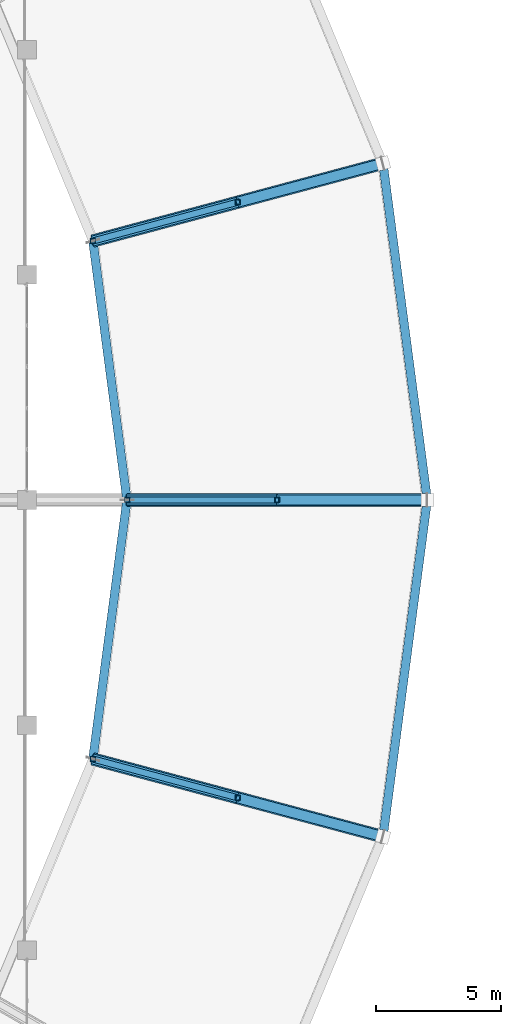
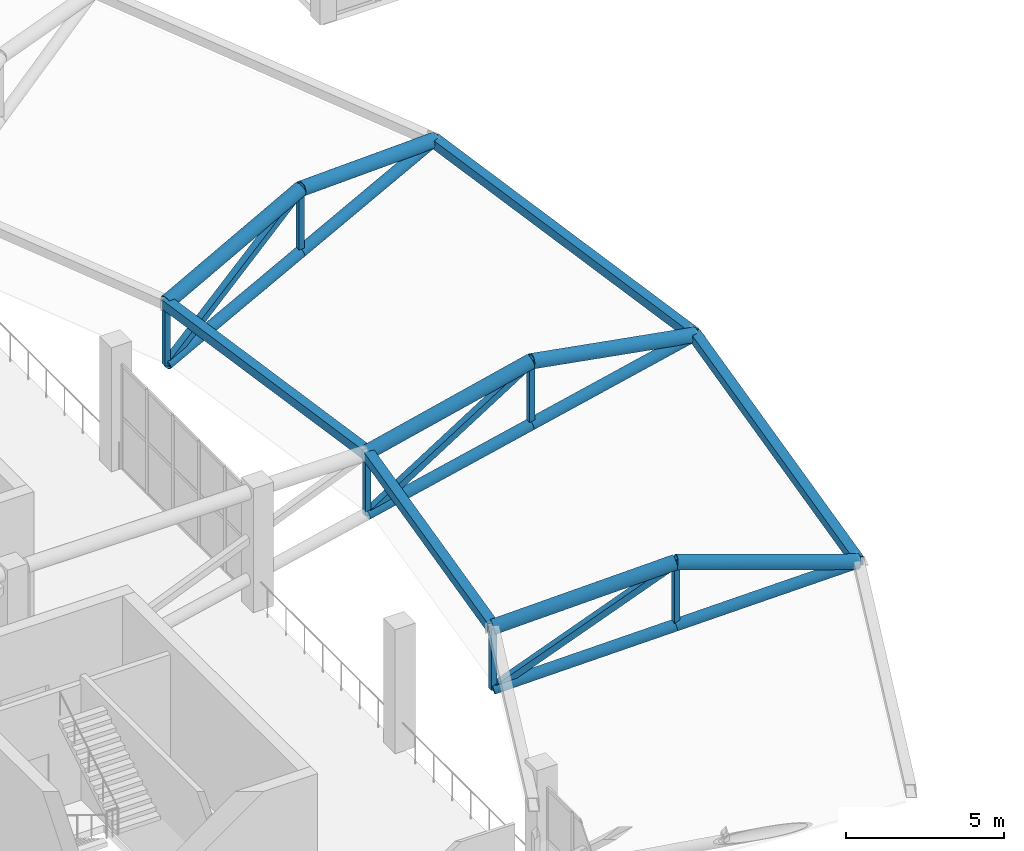
# One storey, part 94 of 167: 25 members.
"""IFC4 building model written with IfcOpenShell, lengths in metres."""

from ifc_helpers import new_model, si_unit, direction, frame, origin, origin_2d, place, context, subcontext, project, spatial, hollow_rectangle, hollow_circle, extrude, material, material_profile, profile_set, type_object, element, save


model = new_model("IFC4")

# Units and contexts
model_context = context("Model", 3, precision=1e-05, world=origin(), true_north=direction((0.0, 1.0)))
body_context = subcontext(model_context, "Body", "Model", "MODEL_VIEW")
ifc_project = project(units=[si_unit("LENGTHUNIT", "METRE"), si_unit("AREAUNIT", "SQUARE_METRE"), si_unit("VOLUMEUNIT", "CUBIC_METRE"), si_unit("PLANEANGLEUNIT", "RADIAN"), si_unit("MASSUNIT", "GRAM", prefix="KILO")], contexts=[model_context])

# Site, building, storey
site_placement = place(None, origin())
site = spatial("IfcSite", under=ifc_project, at=site_placement, CompositionType="ELEMENT")
building_placement = place(site_placement, origin())
building = spatial("IfcBuilding", under=site, at=building_placement, Name="Dornveld Trade and Exhibition Forum", CompositionType="ELEMENT")
storey_placement = place(building_placement, frame((0.0, 0.0, 16.800048828125)))
storey = spatial("IfcBuildingStorey", under=building, at=storey_placement, Name="L03", CompositionType="ELEMENT", Elevation=16.800048828125)

# Members
ifc_material_1 = material(Name="Steel S355J2", Category="steel")
ifc_material_profile_1 = material_profile(ifc_material_1, hollow_circle(Radius=0.203125, WallThickness=0.02001953125, at=origin_2d()), Name="CHS 406.4x20")
ifc_profile_set_1 = profile_set([ifc_material_profile_1], Name="Steel S355J2")
member_type_1 = type_object("IfcMemberType", Name="MEM-DISC-BC", PredefinedType="CHORD", material=ifc_profile_set_1)
member_1_placement = place(storey_placement, frame((157.0, 81.0, 2.07568359375), z_axis=(0.975188175401, 0.0, 0.221377556582), x_axis=(0.0, 1.0, 0.0)))
element("IfcMember", 1, at=member_1_placement, inside=storey, type_object=member_type_1, Name="Roof disc radial R01 conical bottom chord 3", PredefinedType="CHORD", context=body_context, shape_type="SweptSolid", body=[
    extrude(hollow_circle(Radius=0.203125, WallThickness=0.02001953125, at=origin_2d()), origin(), (0.0, 0.0, 1.0), 6.152587890625),
])
for number, where, z_axis, x_axis, name in (
    (2, (163.0, 81.0, 3.437744140625), (0.975179608328, 0.0, 0.22141529193), (0.0, 1.0, 0.0), "Roof disc radial R01 conical bottom chord 4"),
    (3, (155.636962890625, 91.352783203125, 2.07568359375), (0.941958781399, 0.252403210265, 0.221373606362), (-0.258824896092, 0.965924258502, 0.0), "Roof disc radial R02 conical bottom chord 3"),
):
    element("IfcMember", number, at=place(storey_placement, frame(where, z_axis=z_axis, x_axis=x_axis)), inside=storey, type_object=member_type_1, Name=name, PredefinedType="CHORD", context=body_context, shape_type="SweptSolid", body=[
        extrude(hollow_circle(Radius=0.203125, WallThickness=0.02001953125, at=origin_2d()), origin(), (0.0, 0.0, 1.0), 6.15283203125),
    ])
member_2_placement = place(storey_placement, frame((161.4326171875, 92.90576171875, 3.437744140625), z_axis=(0.941955467078, 0.25237327368, 0.221421834455), x_axis=(-0.2587971036, 0.96593170523, 0.0)))
element("IfcMember", 4, at=member_2_placement, inside=storey, type_object=member_type_1, Name="Roof disc radial R02 conical bottom chord 4", PredefinedType="CHORD", context=body_context, shape_type="SweptSolid", body=[
    extrude(hollow_circle(Radius=0.203125, WallThickness=0.02001953125, at=origin_2d()), origin(), (0.0, 0.0, 1.0), 6.152587890625),
])
member_3_placement = place(storey_placement, frame((155.636962890625, 70.647216796875, 2.07568359375), z_axis=(0.941958781399, -0.252403210265, 0.221373606362), x_axis=(0.258824896092, 0.965924258502, 0.0)))
element("IfcMember", 5, at=member_3_placement, inside=storey, type_object=member_type_1, Name="Roof disc radial R24 conical bottom chord 3", PredefinedType="CHORD", context=body_context, shape_type="SweptSolid", body=[
    extrude(hollow_circle(Radius=0.203125, WallThickness=0.02001953125, at=origin_2d()), origin(), (0.0, 0.0, 1.0), 6.15283203125),
])
member_4_placement = place(storey_placement, frame((161.4326171875, 69.09423828125, 3.437744140625), z_axis=(0.941955467078, -0.25237327368, 0.221421834455), x_axis=(0.2587971036, 0.96593170523, 0.0)))
element("IfcMember", 6, at=member_4_placement, inside=storey, type_object=member_type_1, Name="Roof disc radial R24 conical bottom chord 4", PredefinedType="CHORD", context=body_context, shape_type="SweptSolid", body=[
    extrude(hollow_circle(Radius=0.203125, WallThickness=0.02001953125, at=origin_2d()), origin(), (0.0, 0.0, 1.0), 6.152587890625),
])
ifc_material_2 = material(Name="Steel S355J2", Category="steel")
ifc_material_profile_2 = material_profile(ifc_material_2, hollow_rectangle(XDim=0.35009765625, YDim=0.35009765625, WallThickness=0.01611328125, at=origin_2d()), Name="SHS 350x350x16")
ifc_profile_set_2 = profile_set([ifc_material_profile_2], Name="Steel S355J2")
member_type_2 = type_object("IfcMemberType", Name="MEM-DISC-RING", PredefinedType="CHORD", material=ifc_profile_set_2)
member_5_placement = place(storey_placement, frame((157.0, 81.0, 4.449951171875), z_axis=(-0.130532531574, 0.991444026761, 0.0), x_axis=(-0.991444026761, -0.130532531574, 0.0)))
element("IfcMember", 7, at=member_5_placement, inside=storey, type_object=member_type_2, Name="Roof disc ring 3 chord 1", PredefinedType="CHORD", context=body_context, shape_type="SweptSolid", body=[
    extrude(hollow_rectangle(XDim=0.35009765625, YDim=0.35009765625, WallThickness=0.01611328125, at=origin_2d()), origin(), (0.0, 0.0, 1.0), 10.442138671875),
])
member_6_placement = place(storey_placement, frame((169.0, 81.0, 4.800048828125), z_axis=(-0.130535463208, 0.991443640781, 0.0), x_axis=(-0.991443640781, -0.130535463208, 0.0)))
element("IfcMember", 8, at=member_6_placement, inside=storey, type_object=member_type_2, Name="Roof disc ring 4 chord 1", PredefinedType="CHORD", context=body_context, shape_type="SweptSolid", body=[
    extrude(hollow_rectangle(XDim=0.35009765625, YDim=0.35009765625, WallThickness=0.01611328125, at=origin_2d()), origin(), (0.0, 0.0, 1.0), 13.57470703125),
])
member_7_placement = place(storey_placement, frame((155.636962890625, 70.647216796875, 4.449951171875), z_axis=(0.130532531574, 0.991444026761, 0.0), x_axis=(-0.991444026761, 0.130532531574, 0.0)))
element("IfcMember", 9, at=member_7_placement, inside=storey, type_object=member_type_2, Name="Roof disc ring 3 chord 24", PredefinedType="CHORD", context=body_context, shape_type="SweptSolid", body=[
    extrude(hollow_rectangle(XDim=0.35009765625, YDim=0.35009765625, WallThickness=0.01611328125, at=origin_2d()), origin(), (0.0, 0.0, 1.0), 10.442138671875),
])
member_8_placement = place(storey_placement, frame((167.22802734375, 67.54150390625, 4.800048828125), z_axis=(0.130535463208, 0.991443640781, 0.0), x_axis=(-0.991443640781, 0.130535463208, 0.0)))
element("IfcMember", 10, at=member_8_placement, inside=storey, type_object=member_type_2, Name="Roof disc ring 4 chord 24", PredefinedType="CHORD", context=body_context, shape_type="SweptSolid", body=[
    extrude(hollow_rectangle(XDim=0.35009765625, YDim=0.35009765625, WallThickness=0.01611328125, at=origin_2d()), origin(), (0.0, 0.0, 1.0), 13.57470703125),
])
ifc_material_3 = material(Name="Steel S355J2", Category="steel")
ifc_material_profile_3 = material_profile(ifc_material_3, hollow_rectangle(XDim=0.199951171875, YDim=0.199951171875, WallThickness=0.010009765625, at=origin_2d()), Name="SHS 200x200x10")
ifc_profile_set_3 = profile_set([ifc_material_profile_3], Name="Steel S355J2")
member_type_3 = type_object("IfcMemberType", Name="MEM-DISC-STR", PredefinedType="STRUT", material=ifc_profile_set_3)
member_9_placement = place(storey_placement, frame((157.0, 81.0, 2.07568359375), z_axis=(0.0, 0.0, 1.0), x_axis=(1.0, 0.0, 0.0)))
element("IfcMember", 11, at=member_9_placement, inside=storey, type_object=member_type_3, Name="Roof disc radial R01 strut 3", PredefinedType="STRUT", context=body_context, shape_type="SweptSolid", body=[
    extrude(hollow_rectangle(XDim=0.199951171875, YDim=0.199951171875, WallThickness=0.010009765625, at=origin_2d()), origin(), (0.0, 0.0, 1.0), 2.374267578125),
])
member_10_placement = place(storey_placement, frame((163.0, 81.0, 3.437744140625), z_axis=(0.0, 0.0, 1.0), x_axis=(1.0, 0.0, 0.0)))
element("IfcMember", 12, at=member_10_placement, inside=storey, type_object=member_type_3, Name="Roof disc radial R01 strut 4", PredefinedType="STRUT", context=body_context, shape_type="SweptSolid", body=[
    extrude(hollow_rectangle(XDim=0.199951171875, YDim=0.199951171875, WallThickness=0.010009765625, at=origin_2d()), origin(), (0.0, 0.0, 1.0), 2.437255859375),
])
member_11_placement = place(storey_placement, frame((155.636962890625, 91.352783203125, 2.07568359375), z_axis=(0.0, 0.0, 1.0), x_axis=(1.0, 0.0, 0.0)))
element("IfcMember", 13, at=member_11_placement, inside=storey, type_object=member_type_3, Name="Roof disc radial R02 strut 3", PredefinedType="STRUT", context=body_context, shape_type="SweptSolid", body=[
    extrude(hollow_rectangle(XDim=0.199951171875, YDim=0.199951171875, WallThickness=0.010009765625, at=origin_2d()), origin(), (0.0, 0.0, 1.0), 2.374267578125),
])
member_12_placement = place(storey_placement, frame((161.4326171875, 92.90576171875, 3.437744140625), z_axis=(0.0, 0.0, 1.0), x_axis=(1.0, 0.0, 0.0)))
element("IfcMember", 14, at=member_12_placement, inside=storey, type_object=member_type_3, Name="Roof disc radial R02 strut 4", PredefinedType="STRUT", context=body_context, shape_type="SweptSolid", body=[
    extrude(hollow_rectangle(XDim=0.199951171875, YDim=0.199951171875, WallThickness=0.010009765625, at=origin_2d()), origin(), (0.0, 0.0, 1.0), 2.437255859375),
])
member_13_placement = place(storey_placement, frame((155.636962890625, 70.647216796875, 2.07568359375), z_axis=(0.0, 0.0, 1.0), x_axis=(1.0, 0.0, 0.0)))
element("IfcMember", 15, at=member_13_placement, inside=storey, type_object=member_type_3, Name="Roof disc radial R24 strut 3", PredefinedType="STRUT", context=body_context, shape_type="SweptSolid", body=[
    extrude(hollow_rectangle(XDim=0.199951171875, YDim=0.199951171875, WallThickness=0.010009765625, at=origin_2d()), origin(), (0.0, 0.0, 1.0), 2.374267578125),
])
member_14_placement = place(storey_placement, frame((161.4326171875, 69.09423828125, 3.437744140625), z_axis=(0.0, 0.0, 1.0), x_axis=(1.0, 0.0, 0.0)))
element("IfcMember", 16, at=member_14_placement, inside=storey, type_object=member_type_3, Name="Roof disc radial R24 strut 4", PredefinedType="STRUT", context=body_context, shape_type="SweptSolid", body=[
    extrude(hollow_rectangle(XDim=0.199951171875, YDim=0.199951171875, WallThickness=0.010009765625, at=origin_2d()), origin(), (0.0, 0.0, 1.0), 2.437255859375),
])
ifc_material_4 = material(Name="Steel S355J2", Category="steel")
ifc_material_profile_4 = material_profile(ifc_material_4, hollow_circle(Radius=0.25390625, WallThickness=0.02490234375, at=origin_2d()), Name="CHS 508x25")
ifc_profile_set_4 = profile_set([ifc_material_profile_4], Name="Steel S355J2")
member_type_4 = type_object("IfcMemberType", Name="MEM-DISC-TC", PredefinedType="CHORD", material=ifc_profile_set_4)
member_15_placement = place(storey_placement, frame((157.0, 81.0, 4.449951171875), z_axis=(0.972934770629, 0.0, 0.231079925788), x_axis=(0.0, 1.0, 0.0)))
element("IfcMember", 17, at=member_15_placement, inside=storey, type_object=member_type_4, Name="Roof disc radial R01 top chord 3", PredefinedType="CHORD", context=body_context, shape_type="SweptSolid", body=[
    extrude(hollow_circle(Radius=0.25390625, WallThickness=0.02490234375, at=origin_2d()), origin(), (0.0, 0.0, 1.0), 6.1669921875),
])
member_16_placement = place(storey_placement, frame((163.0, 81.0, 5.875), z_axis=(0.984327409014, 0.0, -0.176350650305), x_axis=(0.0, 1.0, 0.0)))
element("IfcMember", 18, at=member_16_placement, inside=storey, type_object=member_type_4, Name="Roof disc radial R01 top chord 4", PredefinedType="CHORD", context=body_context, shape_type="SweptSolid", body=[
    extrude(hollow_circle(Radius=0.25390625, WallThickness=0.02490234375, at=origin_2d()), origin(), (0.0, 0.0, 1.0), 6.095458984375),
])
member_17_placement = place(storey_placement, frame((155.636962890625, 91.352783203125, 4.449951171875), z_axis=(0.939782238472, 0.251819993215, 0.231075821474), x_axis=(-0.258824896092, 0.965924258502, 0.0)))
element("IfcMember", 19, at=member_17_placement, inside=storey, type_object=member_type_4, Name="Roof disc radial R02 top chord 3", PredefinedType="CHORD", context=body_context, shape_type="SweptSolid", body=[
    extrude(hollow_circle(Radius=0.25390625, WallThickness=0.02490234375, at=origin_2d()), origin(), (0.0, 0.0, 1.0), 6.1669921875),
])
member_18_placement = place(storey_placement, frame((161.4326171875, 92.90576171875, 5.875), z_axis=(0.950792133905, 0.254740836281, -0.176355959457), x_axis=(-0.2587971036, 0.96593170523, 0.0)))
element("IfcMember", 20, at=member_18_placement, inside=storey, type_object=member_type_4, Name="Roof disc radial R02 top chord 4", PredefinedType="CHORD", context=body_context, shape_type="SweptSolid", body=[
    extrude(hollow_circle(Radius=0.25390625, WallThickness=0.02490234375, at=origin_2d()), origin(), (0.0, 0.0, 1.0), 6.095458984375),
])
member_19_placement = place(storey_placement, frame((155.636962890625, 70.647216796875, 4.449951171875), z_axis=(0.939782238472, -0.251819993215, 0.231075821474), x_axis=(0.258824896092, 0.965924258502, 0.0)))
element("IfcMember", 21, at=member_19_placement, inside=storey, type_object=member_type_4, Name="Roof disc radial R24 top chord 3", PredefinedType="CHORD", context=body_context, shape_type="SweptSolid", body=[
    extrude(hollow_circle(Radius=0.25390625, WallThickness=0.02490234375, at=origin_2d()), origin(), (0.0, 0.0, 1.0), 6.1669921875),
])
member_20_placement = place(storey_placement, frame((161.4326171875, 69.09423828125, 5.875), z_axis=(0.950792133905, -0.254740836281, -0.176355959457), x_axis=(0.2587971036, 0.96593170523, 0.0)))
element("IfcMember", 22, at=member_20_placement, inside=storey, type_object=member_type_4, Name="Roof disc radial R24 top chord 4", PredefinedType="CHORD", context=body_context, shape_type="SweptSolid", body=[
    extrude(hollow_circle(Radius=0.25390625, WallThickness=0.02490234375, at=origin_2d()), origin(), (0.0, 0.0, 1.0), 6.095458984375),
])
ifc_material_5 = material(Name="Steel S355J2", Category="steel")
ifc_material_profile_5 = material_profile(ifc_material_5, hollow_rectangle(XDim=0.25, YDim=0.25, WallThickness=0.012451171875, at=origin_2d()), Name="SHS 250x250x12.5")
ifc_profile_set_5 = profile_set([ifc_material_profile_5], Name="Steel S355J2")
member_type_5 = type_object("IfcMemberType", Name="MEM-DISC-WEB", PredefinedType="BRACE", material=ifc_profile_set_5)
for number, where, z_axis, x_axis, name in (
    (23, (157.0, 81.0, 2.07568359375), (0.844862583121, 0.0, 0.534983378846), (0.0, 1.0, 0.0), "Roof disc radial R01 web 3"),
    (24, (155.636962890625, 91.352783203125, 2.07568359375), (0.816077646612, 0.218672644597, 0.534976213681), (-0.258824896092, 0.965924258502, 0.0), "Roof disc radial R02 web 3"),
    (25, (155.636962890625, 70.647216796875, 2.07568359375), (0.816077646612, -0.218672644597, 0.534976213681), (0.258824896092, 0.965924258502, 0.0), "Roof disc radial R24 web 3"),
):
    element("IfcMember", number, at=place(storey_placement, frame(where, z_axis=z_axis, x_axis=x_axis)), inside=storey, type_object=member_type_5, Name=name, PredefinedType="BRACE", context=body_context, shape_type="SweptSolid", body=[
        extrude(hollow_rectangle(XDim=0.25, YDim=0.25, WallThickness=0.012451171875, at=origin_2d()), origin(), (0.0, 0.0, 1.0), 7.101806640625),
    ])

save(model, "model.ifc")
